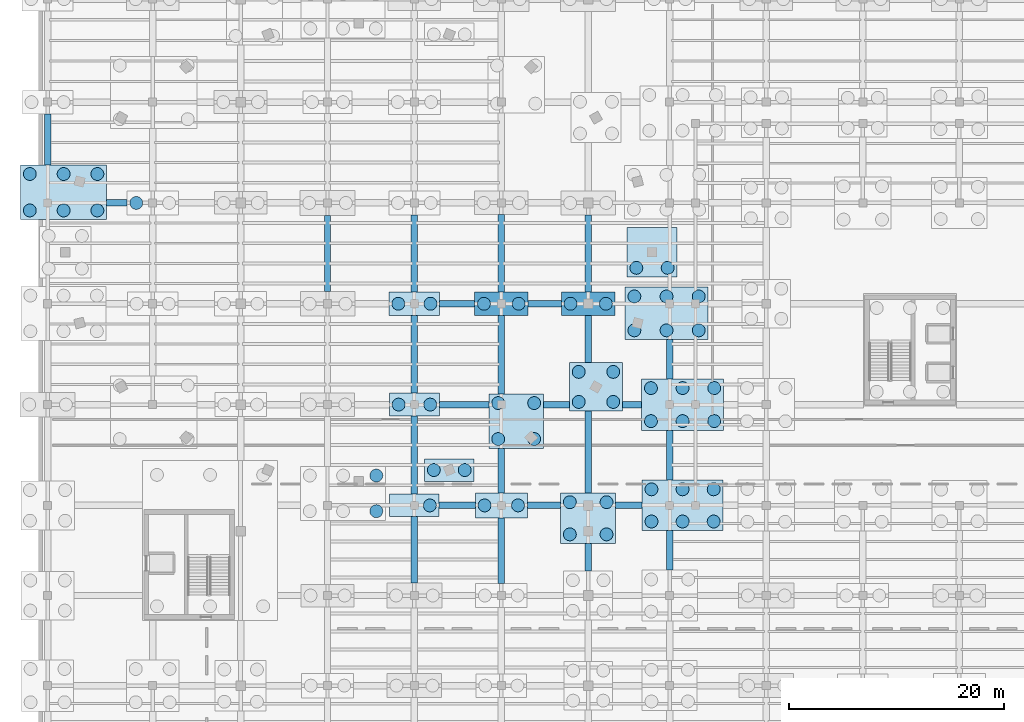
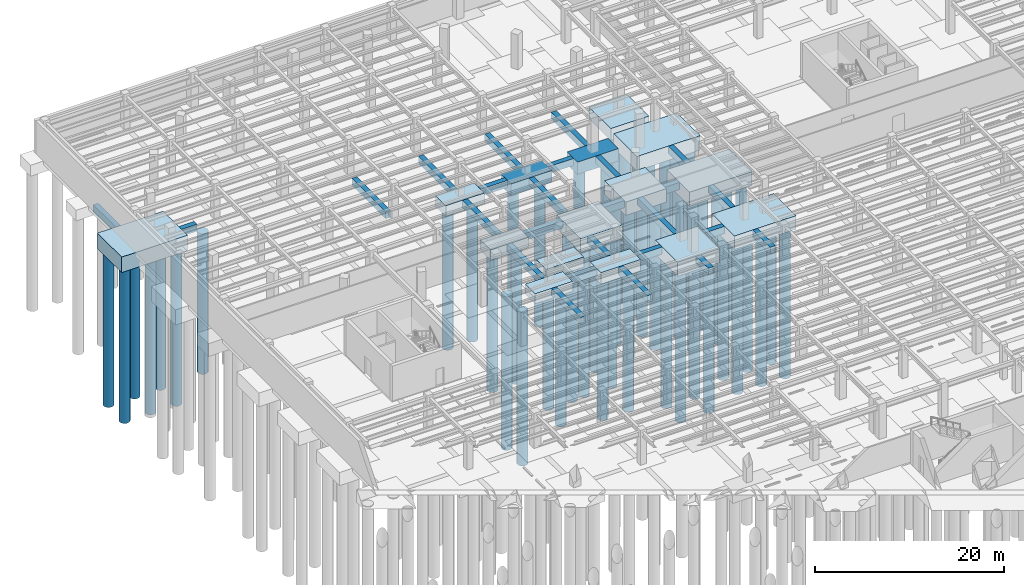
# One storey, part 9 of 49: 54 piles, 41 footings.
"""IFC4 building model written with IfcOpenShell, lengths in metres."""

from ifc_helpers import new_model, si_unit, direction, frame, origin, origin_2d, place, context, subcontext, project, spatial, rectangle, circle, extrude, material, material_profile, profile_set, type_object, element, save


model = new_model("IFC4")

# Units and contexts
model_context = context("Model", 3, precision=1e-05, world=origin(), true_north=direction((0.0, 1.0)))
body_context = subcontext(model_context, "Body", "Model", "MODEL_VIEW")
ifc_project = project(units=[si_unit("LENGTHUNIT", "METRE"), si_unit("AREAUNIT", "SQUARE_METRE"), si_unit("VOLUMEUNIT", "CUBIC_METRE"), si_unit("PLANEANGLEUNIT", "RADIAN"), si_unit("MASSUNIT", "GRAM", prefix="KILO")], contexts=[model_context])

# Site, building, storey
site_placement = place(None, origin())
site = spatial("IfcSite", under=ifc_project, at=site_placement, CompositionType="ELEMENT")
building_placement = place(site_placement, origin())
building = spatial("IfcBuilding", under=site, at=building_placement, Name="Sollismere Congress Hotel", CompositionType="ELEMENT")
storey_placement = place(building_placement, frame((0.0, 0.0, -4.5)))
storey = spatial("IfcBuildingStorey", under=building, at=storey_placement, Name="B1", CompositionType="ELEMENT", Elevation=-4.5)

# Footings
ifc_material = material(Name="Concrete C40/50", Category="concrete")
footing_type_1 = type_object("IfcFootingType", Name="FT-GB600", PredefinedType="FOOTING_BEAM", material=ifc_material)
footing_1_placement = place(storey_placement, frame((38.18994140625, 66.800048828125, -0.89990234375), z_axis=(0.0, 0.0, 1.0), x_axis=(1.0, 0.0, 0.0)))
element("IfcFooting", 1, at=footing_1_placement, inside=storey, type_object=footing_type_1, Name="FTG-GB-117", PredefinedType="FOOTING_BEAM", context=body_context, shape_type="SweptSolid", body=[
    extrude(rectangle(XDim=3.3798828125, YDim=0.60009765625, at=origin_2d()), origin(), (0.0, 0.0, 1.0), 0.89990234375),
])
footing_2_placement = place(storey_placement, frame((46.27490234375, 66.800048828125, -0.89990234375), z_axis=(0.0, 0.0, 1.0), x_axis=(1.0, 0.0, 0.0)))
element("IfcFooting", 2, at=footing_2_placement, inside=storey, type_object=footing_type_1, Name="FTG-GB-118", PredefinedType="FOOTING_BEAM", context=body_context, shape_type="SweptSolid", body=[
    extrude(rectangle(XDim=3.110107421875, YDim=0.60009765625, at=origin_2d()), origin(), (0.0, 0.0, 1.0), 0.89990234375),
])
footing_3_placement = place(storey_placement, frame((54.205078125, 66.800048828125, -0.89990234375), z_axis=(0.0, 0.0, 1.0), x_axis=(1.0, 0.0, 0.0)))
element("IfcFooting", 3, at=footing_3_placement, inside=storey, type_object=footing_type_1, Name="FTG-GB-119", PredefinedType="FOOTING_BEAM", context=body_context, shape_type="SweptSolid", body=[
    extrude(rectangle(XDim=2.469970703125, YDim=0.60009765625, at=origin_2d()), origin(), (0.0, 0.0, 1.0), 0.89990234375),
])
footing_4_placement = place(storey_placement, frame((38.841552734375, 76.199951171875, -0.89990234375), z_axis=(0.0, 0.0, 1.0), x_axis=(1.0, 0.0, 0.0)))
element("IfcFooting", 4, at=footing_4_placement, inside=storey, type_object=footing_type_1, Name="FTG-GB-135", PredefinedType="FOOTING_BEAM", context=body_context, shape_type="SweptSolid", body=[
    extrude(rectangle(XDim=4.623046875, YDim=0.60009765625, at=origin_2d()), origin(), (0.0, 0.0, 1.0), 0.89990234375),
])
footing_5_placement = place(storey_placement, frame((47.439697265625, 76.199951171875, -0.89990234375), z_axis=(0.0, 0.0, 1.0), x_axis=(1.0, 0.0, 0.0)))
element("IfcFooting", 5, at=footing_5_placement, inside=storey, type_object=footing_type_1, Name="FTG-GB-136", PredefinedType="FOOTING_BEAM", context=body_context, shape_type="SweptSolid", body=[
    extrude(rectangle(XDim=2.43359375, YDim=0.60009765625, at=origin_2d()), origin(), (0.0, 0.0, 1.0), 0.89990234375),
])
footing_6_placement = place(storey_placement, frame((54.493408203125, 76.199951171875, -0.89990234375), z_axis=(0.0, 0.0, 1.0), x_axis=(1.0, 0.0, 0.0)))
element("IfcFooting", 6, at=footing_6_placement, inside=storey, type_object=footing_type_1, Name="FTG-GB-137", PredefinedType="FOOTING_BEAM", context=body_context, shape_type="SweptSolid", body=[
    extrude(rectangle(XDim=1.79345703125, YDim=0.60009765625, at=origin_2d()), origin(), (0.0, 0.0, 1.0), 0.89990234375),
])
footing_7_placement = place(storey_placement, frame((38.18994140625, 85.60009765625, -0.89990234375), z_axis=(0.0, 0.0, 1.0), x_axis=(1.0, 0.0, 0.0)))
element("IfcFooting", 7, at=footing_7_placement, inside=storey, type_object=footing_type_1, Name="FTG-GB-152", PredefinedType="FOOTING_BEAM", context=body_context, shape_type="SweptSolid", body=[
    extrude(rectangle(XDim=3.260009765625, YDim=0.60009765625, at=origin_2d()), origin(), (0.0, 0.0, 1.0), 0.89990234375),
])
footing_8_placement = place(storey_placement, frame((46.3349609375, 85.60009765625, -0.89990234375), z_axis=(0.0, 0.0, 1.0), x_axis=(1.0, 0.0, 0.0)))
element("IfcFooting", 8, at=footing_8_placement, inside=storey, type_object=footing_type_1, Name="FTG-GB-153", PredefinedType="FOOTING_BEAM", context=body_context, shape_type="SweptSolid", body=[
    extrude(rectangle(XDim=3.110107421875, YDim=0.60009765625, at=origin_2d()), origin(), (0.0, 0.0, 1.0), 0.89990234375),
])
footing_9_placement = place(storey_placement, frame((6.457275390625, 95.0, -0.89990234375), z_axis=(0.0, 0.0, 1.0), x_axis=(1.0, 0.0, 0.0)))
element("IfcFooting", 9, at=footing_9_placement, inside=storey, type_object=footing_type_1, Name="FTG-GB-164", PredefinedType="FOOTING_BEAM", context=body_context, shape_type="SweptSolid", body=[
    extrude(rectangle(XDim=1.90576171875, YDim=0.60009765625, at=origin_2d()), origin(), (0.0, 0.0, 1.0), 0.89990234375),
])
footing_10_placement = place(storey_placement, frame((0.0, 100.929443359375, -0.89990234375), z_axis=(0.0, 0.0, 1.0), x_axis=(0.0, 1.0, 0.0)))
element("IfcFooting", 10, at=footing_10_placement, inside=storey, type_object=footing_type_1, Name="FTG-GB-226", PredefinedType="FOOTING_BEAM", context=body_context, shape_type="SweptSolid", body=[
    extrude(rectangle(XDim=4.7412109375, YDim=0.60009765625, at=origin_2d()), origin(), (0.0, 0.0, 1.0), 0.89990234375),
])
footing_11_placement = place(storey_placement, frame((26.10009765625, 90.28759765625, -0.89990234375), z_axis=(0.0, 0.0, 1.0), x_axis=(0.0, 1.0, 0.0)))
element("IfcFooting", 11, at=footing_11_placement, inside=storey, type_object=footing_type_1, Name="FTG-GB-261", PredefinedType="FOOTING_BEAM", context=body_context, shape_type="SweptSolid", body=[
    extrude(rectangle(XDim=7.125, YDim=0.60009765625, at=origin_2d()), origin(), (0.0, 0.0, 1.0), 0.89990234375),
])
footing_12_placement = place(storey_placement, frame((34.199951171875, 62.64990234375, -0.89990234375), z_axis=(0.0, 0.0, 1.0), x_axis=(0.0, 1.0, 0.0)))
element("IfcFooting", 12, at=footing_12_placement, inside=storey, type_object=footing_type_1, Name="FTG-GB-271", PredefinedType="FOOTING_BEAM", context=body_context, shape_type="SweptSolid", body=[
    extrude(rectangle(XDim=6.199951171875, YDim=0.60009765625, at=origin_2d()), origin(), (0.0, 0.0, 1.0), 0.89990234375),
])
footing_13_placement = place(storey_placement, frame((34.199951171875, 71.487548828125, -0.89990234375), z_axis=(0.0, 0.0, 1.0), x_axis=(0.0, 1.0, 0.0)))
element("IfcFooting", 13, at=footing_13_placement, inside=storey, type_object=footing_type_1, Name="FTG-GB-272", PredefinedType="FOOTING_BEAM", context=body_context, shape_type="SweptSolid", body=[
    extrude(rectangle(XDim=7.27490234375, YDim=0.60009765625, at=origin_2d()), origin(), (0.0, 0.0, 1.0), 0.89990234375),
])
footing_14_placement = place(storey_placement, frame((34.199951171875, 80.887451171875, -0.89990234375), z_axis=(0.0, 0.0, 1.0), x_axis=(0.0, 1.0, 0.0)))
element("IfcFooting", 14, at=footing_14_placement, inside=storey, type_object=footing_type_1, Name="FTG-GB-273", PredefinedType="FOOTING_BEAM", context=body_context, shape_type="SweptSolid", body=[
    extrude(rectangle(XDim=7.22509765625, YDim=0.60009765625, at=origin_2d()), origin(), (0.0, 0.0, 1.0), 0.89990234375),
])
footing_15_placement = place(storey_placement, frame((34.199951171875, 90.28759765625, -0.89990234375), z_axis=(0.0, 0.0, 1.0), x_axis=(0.0, 1.0, 0.0)))
element("IfcFooting", 15, at=footing_15_placement, inside=storey, type_object=footing_type_1, Name="FTG-GB-274", PredefinedType="FOOTING_BEAM", context=body_context, shape_type="SweptSolid", body=[
    extrude(rectangle(XDim=7.175048828125, YDim=0.60009765625, at=origin_2d()), origin(), (0.0, 0.0, 1.0), 0.89990234375),
])
footing_16_placement = place(storey_placement, frame((42.300048828125, 62.58740234375, -0.89990234375), z_axis=(0.0, 0.0, 1.0), x_axis=(0.0, 1.0, 0.0)))
element("IfcFooting", 16, at=footing_16_placement, inside=storey, type_object=footing_type_1, Name="FTG-GB-284", PredefinedType="FOOTING_BEAM", context=body_context, shape_type="SweptSolid", body=[
    extrude(rectangle(XDim=6.125, YDim=0.60009765625, at=origin_2d()), origin(), (0.0, 0.0, 1.0), 0.89990234375),
])
footing_17_placement = place(storey_placement, frame((42.300048828125, 70.03857421875, -0.89990234375), z_axis=(0.0, 0.0, 1.0), x_axis=(0.0, 1.0, 0.0)))
element("IfcFooting", 17, at=footing_17_placement, inside=storey, type_object=footing_type_1, Name="FTG-GB-285", PredefinedType="FOOTING_BEAM", context=body_context, shape_type="SweptSolid", body=[
    extrude(rectangle(XDim=4.17724609375, YDim=0.60009765625, at=origin_2d()), origin(), (0.0, 0.0, 1.0), 0.89990234375),
])
footing_18_placement = place(storey_placement, frame((42.300048828125, 80.862548828125, -0.89990234375), z_axis=(0.0, 0.0, 1.0), x_axis=(0.0, 1.0, 0.0)))
element("IfcFooting", 18, at=footing_18_placement, inside=storey, type_object=footing_type_1, Name="FTG-GB-286", PredefinedType="FOOTING_BEAM", context=body_context, shape_type="SweptSolid", body=[
    extrude(rectangle(XDim=7.32470703125, YDim=0.60009765625, at=origin_2d()), origin(), (0.0, 0.0, 1.0), 0.89990234375),
])
footing_19_placement = place(storey_placement, frame((42.300048828125, 90.28759765625, -0.89990234375), z_axis=(0.0, 0.0, 1.0), x_axis=(0.0, 1.0, 0.0)))
element("IfcFooting", 19, at=footing_19_placement, inside=storey, type_object=footing_type_1, Name="FTG-GB-287", PredefinedType="FOOTING_BEAM", context=body_context, shape_type="SweptSolid", body=[
    extrude(rectangle(XDim=7.22509765625, YDim=0.60009765625, at=origin_2d()), origin(), (0.0, 0.0, 1.0), 0.89990234375),
])
footing_20_placement = place(storey_placement, frame((50.39990234375, 61.96240234375, -0.89990234375), z_axis=(0.0, 0.0, 1.0), x_axis=(0.0, 1.0, 0.0)))
element("IfcFooting", 20, at=footing_20_placement, inside=storey, type_object=footing_type_1, Name="FTG-GB-296", PredefinedType="FOOTING_BEAM", context=body_context, shape_type="SweptSolid", body=[
    extrude(rectangle(XDim=2.554931640625, YDim=0.60009765625, at=origin_2d()), origin(), (0.0, 0.0, 1.0), 0.89990234375),
])
footing_21_placement = place(storey_placement, frame((50.39990234375, 71.775390625, -0.89990234375), z_axis=(0.0, 0.0, 1.0), x_axis=(0.0, 1.0, 0.0)))
element("IfcFooting", 21, at=footing_21_placement, inside=storey, type_object=footing_type_1, Name="FTG-GB-297", PredefinedType="FOOTING_BEAM", context=body_context, shape_type="SweptSolid", body=[
    extrude(rectangle(XDim=7.630859375, YDim=0.60009765625, at=origin_2d()), origin(), (0.0, 0.0, 1.0), 0.89990234375),
])
footing_22_placement = place(storey_placement, frame((50.39990234375, 82.305419921875, -0.89990234375), z_axis=(0.0, 0.0, 1.0), x_axis=(0.0, 1.0, 0.0)))
element("IfcFooting", 22, at=footing_22_placement, inside=storey, type_object=footing_type_1, Name="FTG-GB-298", PredefinedType="FOOTING_BEAM", context=body_context, shape_type="SweptSolid", body=[
    extrude(rectangle(XDim=4.38916015625, YDim=0.60009765625, at=origin_2d()), origin(), (0.0, 0.0, 1.0), 0.89990234375),
])
footing_23_placement = place(storey_placement, frame((50.39990234375, 90.28759765625, -0.89990234375), z_axis=(0.0, 0.0, 1.0), x_axis=(0.0, 1.0, 0.0)))
element("IfcFooting", 23, at=footing_23_placement, inside=storey, type_object=footing_type_1, Name="FTG-GB-299", PredefinedType="FOOTING_BEAM", context=body_context, shape_type="SweptSolid", body=[
    extrude(rectangle(XDim=7.175048828125, YDim=0.60009765625, at=origin_2d()), origin(), (0.0, 0.0, 1.0), 0.89990234375),
])
footing_24_placement = place(storey_placement, frame((58.0, 62.60009765625, -0.89990234375), z_axis=(0.0, 0.0, 1.0), x_axis=(0.0, 1.0, 0.0)))
element("IfcFooting", 24, at=footing_24_placement, inside=storey, type_object=footing_type_1, Name="FTG-GB-308", PredefinedType="FOOTING_BEAM", context=body_context, shape_type="SweptSolid", body=[
    extrude(rectangle(XDim=3.679931640625, YDim=0.60009765625, at=origin_2d()), origin(), (0.0, 0.0, 1.0), 0.89990234375),
])
footing_25_placement = place(storey_placement, frame((58.0, 71.47998046875, -0.89990234375), z_axis=(0.0, 0.0, 1.0), x_axis=(0.0, 1.0, 0.0)))
element("IfcFooting", 25, at=footing_25_placement, inside=storey, type_object=footing_type_1, Name="FTG-GB-309", PredefinedType="FOOTING_BEAM", context=body_context, shape_type="SweptSolid", body=[
    extrude(rectangle(XDim=4.639892578125, YDim=0.60009765625, at=origin_2d()), origin(), (0.0, 0.0, 1.0), 0.89990234375),
])
footing_26_placement = place(storey_placement, frame((58.0, 80.4306640625, -0.89990234375), z_axis=(0.0, 0.0, 1.0), x_axis=(0.0, 1.0, 0.0)))
element("IfcFooting", 26, at=footing_26_placement, inside=storey, type_object=footing_type_1, Name="FTG-GB-310", PredefinedType="FOOTING_BEAM", context=body_context, shape_type="SweptSolid", body=[
    extrude(rectangle(XDim=3.6611328125, YDim=0.60009765625, at=origin_2d()), origin(), (0.0, 0.0, 1.0), 0.89990234375),
])
footing_type_2 = type_object("IfcFootingType", Name="FT-PC2-01", PredefinedType="PILE_CAP", material=ifc_material)
for number, where, z_axis, x_axis, name in (
    (27, (34.199951171875, 66.800048828125, -1.2998046875), (0.0, 0.0, 1.0), (1.0, 0.0, 0.0), "Reinforced concrete pile cap PC-061"),
    (28, (37.45166015625, 70.094970703125, -1.2998046875), (0.0, 0.0, 1.0), (1.0, 0.0, 0.0), "Reinforced concrete pile cap PC-245"),
):
    element("IfcFooting", number, at=place(storey_placement, frame(where, z_axis=z_axis, x_axis=x_axis)), inside=storey, type_object=footing_type_2, Name=name, PredefinedType="PILE_CAP", context=body_context, shape_type="SweptSolid", body=[
        extrude(rectangle(XDim=4.60009765625, YDim=2.10009765625, at=origin_2d()), origin(), (0.0, 0.0, 1.0), 1.300048828125),
    ])
footing_type_3 = type_object("IfcFootingType", Name="FT-PC2-02", PredefinedType="PILE_CAP", material=ifc_material)
footing_27_placement = place(storey_placement, frame((34.199951171875, 76.199951171875, -1.33984375), z_axis=(0.0, 0.0, 1.0), x_axis=(1.0, 0.0, 0.0)))
element("IfcFooting", 29, at=footing_27_placement, inside=storey, type_object=footing_type_3, Name="Reinforced concrete pile cap PC-062", PredefinedType="PILE_CAP", context=body_context, shape_type="SweptSolid", body=[
    extrude(rectangle(XDim=4.659912109375, YDim=2.14990234375, at=origin_2d()), origin(), (0.0, 0.0, 1.0), 1.340087890625),
])
footing_type_4 = type_object("IfcFootingType", Name="FT-PC2-03", PredefinedType="PILE_CAP", material=ifc_material)
footing_28_placement = place(storey_placement, frame((34.199951171875, 85.60009765625, -1.3798828125), z_axis=(0.0, 0.0, 1.0), x_axis=(1.0, 0.0, 0.0)))
element("IfcFooting", 30, at=footing_28_placement, inside=storey, type_object=footing_type_4, Name="Reinforced concrete pile cap PC-063", PredefinedType="PILE_CAP", context=body_context, shape_type="SweptSolid", body=[
    extrude(rectangle(XDim=4.719970703125, YDim=2.199951171875, at=origin_2d()), origin(), (0.0, 0.0, 1.0), 1.3798828125),
])
footing_type_5 = type_object("IfcFootingType", Name="FT-PC2-05", PredefinedType="PILE_CAP", material=ifc_material)
footing_29_placement = place(storey_placement, frame((42.300048828125, 66.800048828125, -1.4599609375), z_axis=(0.0, 0.0, 1.0), x_axis=(1.0, 0.0, 0.0)))
element("IfcFooting", 31, at=footing_29_placement, inside=storey, type_object=footing_type_5, Name="Reinforced concrete pile cap PC-075", PredefinedType="PILE_CAP", context=body_context, shape_type="SweptSolid", body=[
    extrude(rectangle(XDim=4.840087890625, YDim=2.300048828125, at=origin_2d()), origin(), (0.0, 0.0, 1.0), 1.4599609375),
])
footing_type_6 = type_object("IfcFootingType", Name="FT-PC2-07", PredefinedType="PILE_CAP", material=ifc_material)
footing_30_placement = place(storey_placement, frame((42.300048828125, 85.60009765625, -1.5400390625), z_axis=(0.0, 0.0, 1.0), x_axis=(1.0, 0.0, 0.0)))
element("IfcFooting", 32, at=footing_30_placement, inside=storey, type_object=footing_type_6, Name="Reinforced concrete pile cap PC-077", PredefinedType="PILE_CAP", context=body_context, shape_type="SweptSolid", body=[
    extrude(rectangle(XDim=4.9599609375, YDim=2.14990234375, at=origin_2d()), origin(), (0.0, 0.0, 1.0), 1.5400390625),
])
footing_type_7 = type_object("IfcFootingType", Name="FT-PC2-08", PredefinedType="PILE_CAP", material=ifc_material)
footing_31_placement = place(storey_placement, frame((50.39990234375, 85.60009765625, -1.580078125), z_axis=(0.0, 0.0, 1.0), x_axis=(1.0, 0.0, 0.0)))
element("IfcFooting", 33, at=footing_31_placement, inside=storey, type_object=footing_type_7, Name="Reinforced concrete pile cap PC-088", PredefinedType="PILE_CAP", context=body_context, shape_type="SweptSolid", body=[
    extrude(rectangle(XDim=5.02001953125, YDim=2.199951171875, at=origin_2d()), origin(), (0.0, 0.0, 1.0), 1.580078125),
])
footing_type_8 = type_object("IfcFootingType", Name="FT-PC4-03", PredefinedType="PILE_CAP", material=ifc_material)
footing_32_placement = place(storey_placement, frame((56.35009765625, 90.39990234375, -1.52978515625), z_axis=(0.0, 0.0, 1.0), x_axis=(1.0, 0.0, 0.0)))
element("IfcFooting", 34, at=footing_32_placement, inside=storey, type_object=footing_type_8, Name="Reinforced concrete pile cap PC-241", PredefinedType="PILE_CAP", context=body_context, shape_type="SweptSolid", body=[
    extrude(rectangle(XDim=4.639892578125, YDim=4.6201171875, at=origin_2d()), origin(), (0.0, 0.0, 1.0), 1.530029296875),
])
footing_type_9 = type_object("IfcFootingType", Name="FT-PC4-08", PredefinedType="PILE_CAP", material=ifc_material)
footing_33_placement = place(storey_placement, frame((51.126708984375, 77.850830078125, -1.72998046875), z_axis=(0.0, 0.0, 1.0), x_axis=(1.0, 0.0, 0.0)))
element("IfcFooting", 35, at=footing_33_placement, inside=storey, type_object=footing_type_9, Name="Reinforced concrete pile cap PC-246", PredefinedType="PILE_CAP", context=body_context, shape_type="SweptSolid", body=[
    extrude(rectangle(XDim=4.93994140625, YDim=4.52001953125, at=origin_2d()), origin(), (0.0, 0.0, 1.0), 1.72998046875),
])
footing_type_10 = type_object("IfcFootingType", Name="FT-PC4H-07", PredefinedType="PILE_CAP", material=ifc_material)
footing_34_placement = place(storey_placement, frame((50.39990234375, 65.60009765625, -1.7900390625), z_axis=(0.0, 0.0, 1.0), x_axis=(1.0, 0.0, 0.0)))
element("IfcFooting", 36, at=footing_34_placement, inside=storey, type_object=footing_type_10, Name="Reinforced concrete pile cap PC-087", PredefinedType="PILE_CAP", context=body_context, shape_type="SweptSolid", body=[
    extrude(rectangle(XDim=5.139892578125, YDim=4.719970703125, at=origin_2d()), origin(), (0.0, 0.0, 1.0), 1.7900390625),
])
footing_type_11 = type_object("IfcFootingType", Name="FT-PC6-01", PredefinedType="PILE_CAP", material=ifc_material)
footing_35_placement = place(storey_placement, frame((59.199951171875, 66.800048828125, -1.75), z_axis=(0.0, 0.0, 1.0), x_axis=(1.0, 0.0, 0.0)))
element("IfcFooting", 37, at=footing_35_placement, inside=storey, type_object=footing_type_11, Name="Reinforced concrete pile cap PC-097", PredefinedType="PILE_CAP", context=body_context, shape_type="SweptSolid", body=[
    extrude(rectangle(XDim=7.52001953125, YDim=4.719970703125, at=origin_2d()), origin(), (0.0, 0.0, 1.0), 1.75),
])
footing_type_12 = type_object("IfcFootingType", Name="FT-PC6-02", PredefinedType="PILE_CAP", material=ifc_material)
footing_36_placement = place(storey_placement, frame((59.199951171875, 76.199951171875, -1.7998046875), z_axis=(0.0, 0.0, 1.0), x_axis=(1.0, 0.0, 0.0)))
element("IfcFooting", 38, at=footing_36_placement, inside=storey, type_object=footing_type_12, Name="Reinforced concrete pile cap PC-098", PredefinedType="PILE_CAP", context=body_context, shape_type="SweptSolid", body=[
    extrude(rectangle(XDim=7.6201171875, YDim=4.800048828125, at=origin_2d()), origin(), (0.0, 0.0, 1.0), 1.800048828125),
])
footing_type_13 = type_object("IfcFootingType", Name="FT-PC6-03", PredefinedType="PILE_CAP", material=ifc_material)
footing_37_placement = place(storey_placement, frame((57.705810546875, 84.701171875, -1.85009765625), z_axis=(0.0, 0.0, 1.0), x_axis=(1.0, 0.0, 0.0)))
element("IfcFooting", 39, at=footing_37_placement, inside=storey, type_object=footing_type_13, Name="Reinforced concrete pile cap PC-099", PredefinedType="PILE_CAP", context=body_context, shape_type="SweptSolid", body=[
    extrude(rectangle(XDim=7.719970703125, YDim=4.8798828125, at=origin_2d()), origin(), (0.0, 0.0, 1.0), 1.85009765625),
])
footing_type_14 = type_object("IfcFootingType", Name="FT-PC6-06", PredefinedType="PILE_CAP", material=ifc_material)
footing_38_placement = place(storey_placement, frame((1.494384765625, 95.998779296875, -2.0), z_axis=(0.0, 0.0, 1.0), x_axis=(1.0, 0.0, 0.0)))
element("IfcFooting", 40, at=footing_38_placement, inside=storey, type_object=footing_type_14, Name="Reinforced concrete pile cap PC-012", PredefinedType="PILE_CAP", context=body_context, shape_type="SweptSolid", body=[
    extrude(rectangle(XDim=8.02001953125, YDim=5.1201171875, at=origin_2d()), origin(), (0.0, 0.0, 1.0), 2.0),
])
footing_type_15 = type_object("IfcFootingType", Name="FT-PCM-76", PredefinedType="PILE_CAP", material=ifc_material)
footing_39_placement = place(storey_placement, frame((43.68798828125, 74.663818359375, -1.75), z_axis=(0.0, 0.0, 1.0), x_axis=(1.0, 0.0, 0.0)))
element("IfcFooting", 41, at=footing_39_placement, inside=storey, type_object=footing_type_15, Name="Reinforced concrete pile cap PC-076", PredefinedType="PILE_CAP", context=body_context, shape_type="SweptSolid", body=[
    extrude(rectangle(XDim=5.070068359375, YDim=5.072998046875, at=origin_2d()), origin(), (0.0, 0.0, 1.0), 1.75),
])

# Piles
ifc_material_profile = material_profile(ifc_material, circle(Radius=0.60009765625, at=origin_2d()), Name="CAISSON1200")
ifc_profile_set = profile_set([ifc_material_profile], Name="Concrete C40/50")
pile_type = type_object("IfcPileType", Name="PL-CS1200", PredefinedType="BORED", material=ifc_profile_set)
for number, where, z_axis, x_axis, name in (
    (42, (-1.65576171875, 94.298828125, -1.89990234375), (0.0, 0.0, -1.0), (1.0, 0.0, 0.0), "Bored rock-socketed caisson PL-039"),
    (43, (1.494384765625, 94.298828125, -1.89990234375), (0.0, 0.0, -1.0), (1.0, 0.0, 0.0), "Bored rock-socketed caisson PL-040"),
    (44, (4.644287109375, 94.298828125, -1.89990234375), (0.0, 0.0, -1.0), (1.0, 0.0, 0.0), "Bored rock-socketed caisson PL-041"),
    (45, (-1.65576171875, 97.69873046875, -1.89990234375), (0.0, 0.0, -1.0), (1.0, 0.0, 0.0), "Bored rock-socketed caisson PL-042"),
    (46, (1.494384765625, 97.69873046875, -1.89990234375), (0.0, 0.0, -1.0), (1.0, 0.0, 0.0), "Bored rock-socketed caisson PL-043"),
    (47, (4.644287109375, 97.69873046875, -1.89990234375), (0.0, 0.0, -1.0), (1.0, 0.0, 0.0), "Bored rock-socketed caisson PL-044"),
):
    element("IfcPile", number, at=place(storey_placement, frame(where, z_axis=z_axis, x_axis=x_axis)), inside=storey, type_object=pile_type, Name=name, PredefinedType="BORED", context=body_context, shape_type="SweptSolid", body=[
        extrude(circle(Radius=0.60009765625, at=origin_2d()), origin(), (0.0, 0.0, 1.0), 19.949951171875),
    ])
pile_1_placement = place(storey_placement, frame((8.27001953125, 95.0, -1.320068359375), z_axis=(0.0, 0.0, -1.0), x_axis=(1.0, 0.0, 0.0)))
element("IfcPile", 48, at=pile_1_placement, inside=storey, type_object=pile_type, Name="Bored rock-socketed caisson PL-077", PredefinedType="BORED", context=body_context, shape_type="SweptSolid", body=[
    extrude(circle(Radius=0.60009765625, at=origin_2d()), origin(), (0.0, 0.0, 1.0), 18.10009765625),
])
for number, where, z_axis, x_axis, name in (
    (49, (30.64990234375, 66.264892578125, -1.85009765625), (0.0, 0.0, -1.0), (1.0, 0.0, 0.0), "Bored rock-socketed caisson PL-137"),
    (50, (30.64990234375, 69.5849609375, -1.85009765625), (0.0, 0.0, -1.0), (1.0, 0.0, 0.0), "Bored rock-socketed caisson PL-140"),
):
    element("IfcPile", number, at=place(storey_placement, frame(where, z_axis=z_axis, x_axis=x_axis)), inside=storey, type_object=pile_type, Name=name, PredefinedType="BORED", context=body_context, shape_type="SweptSolid", body=[
        extrude(circle(Radius=0.60009765625, at=origin_2d()), origin(), (0.0, 0.0, 1.0), 19.800048828125),
    ])
pile_2_placement = place(storey_placement, frame((35.639892578125, 66.800048828125, -1.199951171875), z_axis=(0.0, 0.0, -1.0), x_axis=(1.0, 0.0, 0.0)))
element("IfcPile", 51, at=pile_2_placement, inside=storey, type_object=pile_type, Name="Bored rock-socketed caisson PL-177", PredefinedType="BORED", context=body_context, shape_type="SweptSolid", body=[
    extrude(circle(Radius=0.60009765625, at=origin_2d()), origin(), (0.0, 0.0, 1.0), 17.5),
])
for number, where, z_axis, x_axis, name in (
    (52, (32.72998046875, 76.199951171875, -1.239990234375), (0.0, 0.0, -1.0), (1.0, 0.0, 0.0), "Bored rock-socketed caisson PL-178"),
    (53, (35.669921875, 76.199951171875, -1.239990234375), (0.0, 0.0, -1.0), (1.0, 0.0, 0.0), "Bored rock-socketed caisson PL-179"),
):
    element("IfcPile", number, at=place(storey_placement, frame(where, z_axis=z_axis, x_axis=x_axis)), inside=storey, type_object=pile_type, Name=name, PredefinedType="BORED", context=body_context, shape_type="SweptSolid", body=[
        extrude(circle(Radius=0.60009765625, at=origin_2d()), origin(), (0.0, 0.0, 1.0), 17.699951171875),
    ])
for number, where, z_axis, x_axis, name in (
    (54, (32.699951171875, 85.60009765625, -1.280029296875), (0.0, 0.0, -1.0), (1.0, 0.0, 0.0), "Bored rock-socketed caisson PL-180"),
    (55, (35.699951171875, 85.60009765625, -1.280029296875), (0.0, 0.0, -1.0), (1.0, 0.0, 0.0), "Bored rock-socketed caisson PL-181"),
):
    element("IfcPile", number, at=place(storey_placement, frame(where, z_axis=z_axis, x_axis=x_axis)), inside=storey, type_object=pile_type, Name=name, PredefinedType="BORED", context=body_context, shape_type="SweptSolid", body=[
        extrude(circle(Radius=0.60009765625, at=origin_2d()), origin(), (0.0, 0.0, 1.0), 17.89990234375),
    ])
for number, where, z_axis, x_axis, name in (
    (56, (40.739990234375, 66.800048828125, -1.360107421875), (0.0, 0.0, -1.0), (1.0, 0.0, 0.0), "Bored rock-socketed caisson PL-209"),
    (57, (43.860107421875, 66.800048828125, -1.360107421875), (0.0, 0.0, -1.0), (1.0, 0.0, 0.0), "Bored rock-socketed caisson PL-210"),
):
    element("IfcPile", number, at=place(storey_placement, frame(where, z_axis=z_axis, x_axis=x_axis)), inside=storey, type_object=pile_type, Name=name, PredefinedType="BORED", context=body_context, shape_type="SweptSolid", body=[
        extrude(circle(Radius=0.60009765625, at=origin_2d()), origin(), (0.0, 0.0, 1.0), 18.300048828125),
    ])
for number, where, z_axis, x_axis, name in (
    (58, (42.012939453125, 72.98681640625, -1.64990234375), (0.0, 0.0, -1.0), (1.0, 0.0, 0.0), "Bored rock-socketed caisson PL-211"),
    (59, (45.363037109375, 72.98681640625, -1.64990234375), (0.0, 0.0, -1.0), (1.0, 0.0, 0.0), "Bored rock-socketed caisson PL-212"),
    (60, (42.012939453125, 76.3408203125, -1.64990234375), (0.0, 0.0, -1.0), (1.0, 0.0, 0.0), "Bored rock-socketed caisson PL-213"),
    (61, (45.363037109375, 76.3408203125, -1.64990234375), (0.0, 0.0, -1.0), (1.0, 0.0, 0.0), "Bored rock-socketed caisson PL-214"),
):
    element("IfcPile", number, at=place(storey_placement, frame(where, z_axis=z_axis, x_axis=x_axis)), inside=storey, type_object=pile_type, Name=name, PredefinedType="BORED", context=body_context, shape_type="SweptSolid", body=[
        extrude(circle(Radius=0.60009765625, at=origin_2d()), origin(), (0.0, 0.0, 1.0), 19.25),
    ])
for number, where, z_axis, x_axis, name in (
    (62, (40.679931640625, 85.60009765625, -1.43994140625), (0.0, 0.0, -1.0), (1.0, 0.0, 0.0), "Bored rock-socketed caisson PL-215"),
    (63, (43.919921875, 85.60009765625, -1.43994140625), (0.0, 0.0, -1.0), (1.0, 0.0, 0.0), "Bored rock-socketed caisson PL-216"),
):
    element("IfcPile", number, at=place(storey_placement, frame(where, z_axis=z_axis, x_axis=x_axis)), inside=storey, type_object=pile_type, Name=name, PredefinedType="BORED", context=body_context, shape_type="SweptSolid", body=[
        extrude(circle(Radius=0.60009765625, at=origin_2d()), origin(), (0.0, 0.0, 1.0), 18.699951171875),
    ])
for number, where, z_axis, x_axis, name in (
    (64, (48.68994140625, 64.10009765625, -1.68994140625), (0.0, 0.0, -1.0), (1.0, 0.0, 0.0), "Bored rock-socketed caisson PL-249"),
    (65, (52.110107421875, 64.10009765625, -1.68994140625), (0.0, 0.0, -1.0), (1.0, 0.0, 0.0), "Bored rock-socketed caisson PL-250"),
    (66, (48.68994140625, 67.10009765625, -1.68994140625), (0.0, 0.0, -1.0), (1.0, 0.0, 0.0), "Bored rock-socketed caisson PL-251"),
    (67, (52.110107421875, 67.10009765625, -1.68994140625), (0.0, 0.0, -1.0), (1.0, 0.0, 0.0), "Bored rock-socketed caisson PL-252"),
):
    element("IfcPile", number, at=place(storey_placement, frame(where, z_axis=z_axis, x_axis=x_axis)), inside=storey, type_object=pile_type, Name=name, PredefinedType="BORED", context=body_context, shape_type="SweptSolid", body=[
        extrude(circle(Radius=0.60009765625, at=origin_2d()), origin(), (0.0, 0.0, 1.0), 19.39990234375),
    ])
for number, where, z_axis, x_axis, name in (
    (68, (48.75, 85.60009765625, -1.47998046875), (0.0, 0.0, -1.0), (1.0, 0.0, 0.0), "Bored rock-socketed caisson PL-253"),
    (69, (52.050048828125, 85.60009765625, -1.47998046875), (0.0, 0.0, -1.0), (1.0, 0.0, 0.0), "Bored rock-socketed caisson PL-254"),
):
    element("IfcPile", number, at=place(storey_placement, frame(where, z_axis=z_axis, x_axis=x_axis)), inside=storey, type_object=pile_type, Name=name, PredefinedType="BORED", context=body_context, shape_type="SweptSolid", body=[
        extrude(circle(Radius=0.60009765625, at=origin_2d()), origin(), (0.0, 0.0, 1.0), 18.89990234375),
    ])
for number, where, z_axis, x_axis, name in (
    (70, (56.300048828125, 65.300048828125, -1.64990234375), (0.0, 0.0, -1.0), (1.0, 0.0, 0.0), "Bored rock-socketed caisson PL-283"),
    (71, (59.199951171875, 65.300048828125, -1.64990234375), (0.0, 0.0, -1.0), (1.0, 0.0, 0.0), "Bored rock-socketed caisson PL-284"),
    (72, (62.10009765625, 65.300048828125, -1.64990234375), (0.0, 0.0, -1.0), (1.0, 0.0, 0.0), "Bored rock-socketed caisson PL-285"),
    (73, (56.300048828125, 68.300048828125, -1.64990234375), (0.0, 0.0, -1.0), (1.0, 0.0, 0.0), "Bored rock-socketed caisson PL-286"),
    (74, (59.199951171875, 68.300048828125, -1.64990234375), (0.0, 0.0, -1.0), (1.0, 0.0, 0.0), "Bored rock-socketed caisson PL-287"),
    (75, (62.10009765625, 68.300048828125, -1.64990234375), (0.0, 0.0, -1.0), (1.0, 0.0, 0.0), "Bored rock-socketed caisson PL-288"),
):
    element("IfcPile", number, at=place(storey_placement, frame(where, z_axis=z_axis, x_axis=x_axis)), inside=storey, type_object=pile_type, Name=name, PredefinedType="BORED", context=body_context, shape_type="SweptSolid", body=[
        extrude(circle(Radius=0.60009765625, at=origin_2d()), origin(), (0.0, 0.0, 1.0), 19.199951171875),
    ])
for number, where, z_axis, x_axis, name in (
    (76, (56.25, 74.659912109375, -1.699951171875), (0.0, 0.0, -1.0), (1.0, 0.0, 0.0), "Bored rock-socketed caisson PL-289"),
    (77, (59.199951171875, 74.659912109375, -1.699951171875), (0.0, 0.0, -1.0), (1.0, 0.0, 0.0), "Bored rock-socketed caisson PL-290"),
    (78, (62.14990234375, 74.659912109375, -1.699951171875), (0.0, 0.0, -1.0), (1.0, 0.0, 0.0), "Bored rock-socketed caisson PL-291"),
    (79, (56.25, 77.739990234375, -1.699951171875), (0.0, 0.0, -1.0), (1.0, 0.0, 0.0), "Bored rock-socketed caisson PL-292"),
    (80, (59.199951171875, 77.739990234375, -1.699951171875), (0.0, 0.0, -1.0), (1.0, 0.0, 0.0), "Bored rock-socketed caisson PL-293"),
    (81, (62.14990234375, 77.739990234375, -1.699951171875), (0.0, 0.0, -1.0), (1.0, 0.0, 0.0), "Bored rock-socketed caisson PL-294"),
):
    element("IfcPile", number, at=place(storey_placement, frame(where, z_axis=z_axis, x_axis=x_axis)), inside=storey, type_object=pile_type, Name=name, PredefinedType="BORED", context=body_context, shape_type="SweptSolid", body=[
        extrude(circle(Radius=0.60009765625, at=origin_2d()), origin(), (0.0, 0.0, 1.0), 19.35009765625),
    ])
for number, where, z_axis, x_axis, name in (
    (82, (54.705810546875, 83.12109375, -1.75), (0.0, 0.0, -1.0), (1.0, 0.0, 0.0), "Bored rock-socketed caisson PL-295"),
    (83, (57.705810546875, 83.12109375, -1.75), (0.0, 0.0, -1.0), (1.0, 0.0, 0.0), "Bored rock-socketed caisson PL-296"),
    (84, (60.705810546875, 83.12109375, -1.75), (0.0, 0.0, -1.0), (1.0, 0.0, 0.0), "Bored rock-socketed caisson PL-297"),
    (85, (54.705810546875, 86.28125, -1.75), (0.0, 0.0, -1.0), (1.0, 0.0, 0.0), "Bored rock-socketed caisson PL-298"),
    (86, (57.705810546875, 86.28125, -1.75), (0.0, 0.0, -1.0), (1.0, 0.0, 0.0), "Bored rock-socketed caisson PL-299"),
    (87, (60.705810546875, 86.28125, -1.75), (0.0, 0.0, -1.0), (1.0, 0.0, 0.0), "Bored rock-socketed caisson PL-300"),
):
    element("IfcPile", number, at=place(storey_placement, frame(where, z_axis=z_axis, x_axis=x_axis)), inside=storey, type_object=pile_type, Name=name, PredefinedType="BORED", context=body_context, shape_type="SweptSolid", body=[
        extrude(circle(Radius=0.60009765625, at=origin_2d()), origin(), (0.0, 0.0, 1.0), 19.5),
    ])
for number, where, z_axis, x_axis, name in (
    (88, (54.889892578125, 88.949951171875, -1.429931640625), (0.0, 0.0, -1.0), (1.0, 0.0, 0.0), "Bored rock-socketed caisson PL-795"),
    (89, (57.81005859375, 88.949951171875, -1.429931640625), (0.0, 0.0, -1.0), (1.0, 0.0, 0.0), "Bored rock-socketed caisson PL-796"),
):
    element("IfcPile", number, at=place(storey_placement, frame(where, z_axis=z_axis, x_axis=x_axis)), inside=storey, type_object=pile_type, Name=name, PredefinedType="BORED", context=body_context, shape_type="SweptSolid", body=[
        extrude(circle(Radius=0.60009765625, at=origin_2d()), origin(), (0.0, 0.0, 1.0), 18.300048828125),
    ])
for number, where, z_axis, x_axis, name in (
    (90, (36.01171875, 70.094970703125, -1.199951171875), (0.0, 0.0, -1.0), (1.0, 0.0, 0.0), "Bored rock-socketed caisson PL-807"),
    (91, (38.8916015625, 70.094970703125, -1.199951171875), (0.0, 0.0, -1.0), (1.0, 0.0, 0.0), "Bored rock-socketed caisson PL-808"),
):
    element("IfcPile", number, at=place(storey_placement, frame(where, z_axis=z_axis, x_axis=x_axis)), inside=storey, type_object=pile_type, Name=name, PredefinedType="BORED", context=body_context, shape_type="SweptSolid", body=[
        extrude(circle(Radius=0.60009765625, at=origin_2d()), origin(), (0.0, 0.0, 1.0), 17.5),
    ])
for number, where, z_axis, x_axis, name in (
    (92, (49.5166015625, 76.45068359375, -1.6298828125), (0.0, 0.0, -1.0), (1.0, 0.0, 0.0), "Bored rock-socketed caisson PL-809"),
    (93, (52.736572265625, 76.45068359375, -1.6298828125), (0.0, 0.0, -1.0), (1.0, 0.0, 0.0), "Bored rock-socketed caisson PL-810"),
    (94, (49.5166015625, 79.250732421875, -1.6298828125), (0.0, 0.0, -1.0), (1.0, 0.0, 0.0), "Bored rock-socketed caisson PL-811"),
    (95, (52.736572265625, 79.250732421875, -1.6298828125), (0.0, 0.0, -1.0), (1.0, 0.0, 0.0), "Bored rock-socketed caisson PL-812"),
):
    element("IfcPile", number, at=place(storey_placement, frame(where, z_axis=z_axis, x_axis=x_axis)), inside=storey, type_object=pile_type, Name=name, PredefinedType="BORED", context=body_context, shape_type="SweptSolid", body=[
        extrude(circle(Radius=0.60009765625, at=origin_2d()), origin(), (0.0, 0.0, 1.0), 19.050048828125),
    ])

save(model, "model.ifc")
